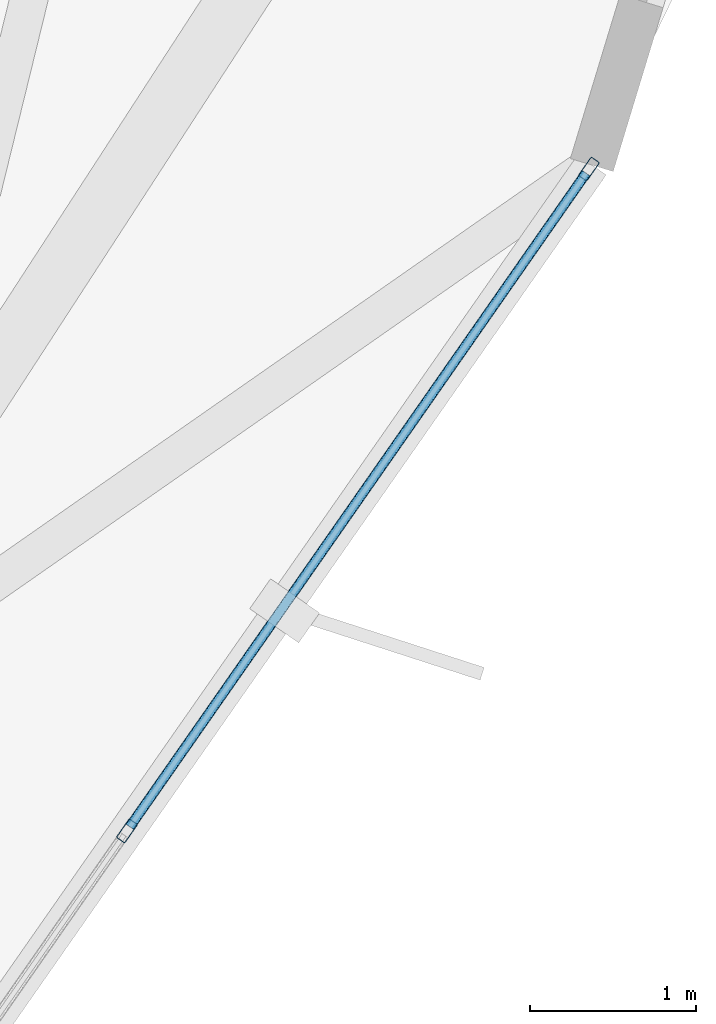
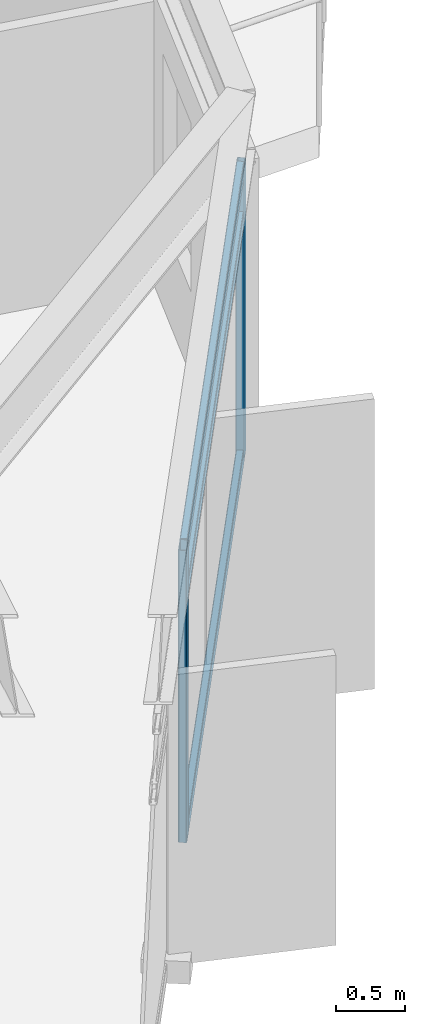
# One storey, part 16 of 34: 5 members, 1 element without a shape of its own.
"""IFC4 building model written with IfcOpenShell, lengths in metres."""

import ifcopenshell
import ifcopenshell.guid

model = None  # the IFC model being written
_history = None  # IfcOwnerHistory: only IFC2X3 demands one
_inside = {}  # id of a spatial element -> (the spatial element, [elements in it])
_under = {}  # id of a project, library or spatial element -> (it, [spatial elements below it])
_declared = {}  # id of a project -> (the project, [libraries it declares])
_typed = {}  # id of a type object -> (the type object, [elements of that type])
_made_of = {}  # id of a material, layer set ... -> (it, [elements and type objects made of it])


def new_model(schema):
    """Start an empty IFC model of exactly this schema.

    Asked for "IFC4X3", IfcOpenShell would pick the latest addendum, in which some entities
    have other attributes; the version numbers below select the first issue.
    IFC2X3 requires an IfcOwnerHistory on every rooted entity: one is made here for all.
    """
    global model, _history
    if schema == "IFC4X3":
        model = ifcopenshell.file(schema_version=(4, 3, 0, 0))
    else:
        model = ifcopenshell.file(schema=schema)
    _inside.clear()
    _under.clear()
    _declared.clear()
    _typed.clear()
    _made_of.clear()
    _history = None
    if model.schema == "IFC2X3":
        org = make("IfcOrganization", Name="unknown")
        user = make(
            "IfcPersonAndOrganization",
            ThePerson=make("IfcPerson", FamilyName="unknown"),
            TheOrganization=org,
        )
        app = make(
            "IfcApplication",
            ApplicationDeveloper=org,
            Version="unknown",
            ApplicationFullName="unknown",
            ApplicationIdentifier="unknown",
        )
        _history = make(
            "IfcOwnerHistory",
            OwningUser=user,
            OwningApplication=app,
            ChangeAction="ADDED",
            CreationDate=0,
        )
    return model


def make(cls, **values):
    """One entity of the class cls with the attributes given. An attribute that is None is left unset."""
    return model.create_entity(
        cls, **{name: value for name, value in values.items() if value is not None}
    )


def rooted(cls, **values):
    """An entity with a GlobalId (a new one), such as an element, a storey or a relation."""
    return make(cls, GlobalId=ifcopenshell.guid.new(), OwnerHistory=_history, **values)


def si_unit(unit_type, name, prefix=None):
    """IfcSIUnit, for example si_unit("LENGTHUNIT", "METRE", prefix="MILLI")."""
    return make("IfcSIUnit", UnitType=unit_type, Prefix=prefix, Name=name)


def assignment(units):
    """IfcUnitAssignment: the units of a project."""
    return None if units is None else make("IfcUnitAssignment", Units=units)


def point(xyz):
    """IfcCartesianPoint."""
    return None if xyz is None else make("IfcCartesianPoint", Coordinates=xyz)


def direction(xyz):
    """IfcDirection."""
    return None if xyz is None else make("IfcDirection", DirectionRatios=xyz)


def frame(location, z_axis=None, x_axis=None):
    """IfcAxis2Placement3D, a coordinate frame: its origin and axes. An axis left out is left unset."""
    return make(
        "IfcAxis2Placement3D",
        Location=point(location),
        Axis=direction(z_axis),
        RefDirection=direction(x_axis),
    )


def frame_2d(location, x_axis=None):
    """IfcAxis2Placement2D, a coordinate frame in the plane: its origin and x axis."""
    return make(
        "IfcAxis2Placement2D", Location=point(location), RefDirection=direction(x_axis)
    )


def origin():
    """The frame at (0, 0, 0) with its axes left unset."""
    return frame((0.0, 0.0, 0.0))


def origin_2d():
    """The frame at (0, 0) in the plane with its x axis left unset."""
    return frame_2d((0.0, 0.0))


def place(relative_to, where):
    """IfcLocalPlacement: puts the frame where relative to a parent placement (None: the world)."""
    return make(
        "IfcLocalPlacement", PlacementRelTo=relative_to, RelativePlacement=where
    )


def context(
    kind, dimensions, precision=None, world=None, true_north=None, identifier=None
):
    """IfcGeometricRepresentationContext, for example the 3D "Model" context."""
    return make(
        "IfcGeometricRepresentationContext",
        ContextIdentifier=identifier,
        ContextType=kind,
        CoordinateSpaceDimension=dimensions,
        Precision=precision,
        WorldCoordinateSystem=world,
        TrueNorth=true_north,
    )


def subcontext(parent, identifier, kind, view, scale=None):
    """IfcGeometricRepresentationSubContext, for example "Body" below "Model"."""
    return make(
        "IfcGeometricRepresentationSubContext",
        ContextIdentifier=identifier,
        ContextType=kind,
        ParentContext=parent,
        TargetScale=scale,
        TargetView=view,
    )


def project(units=None, contexts=None):
    """IfcProject with its units and contexts."""
    return rooted(
        "IfcProject",
        Name="project",
        RepresentationContexts=contexts,
        UnitsInContext=assignment(units),
    )


def spatial(cls, under=None, at=None, **own):
    """A site, building, storey or space (cls), placed at a placement, below another one or the project."""
    s = rooted(cls, ObjectPlacement=at, **own)
    if under is not None:
        _under.setdefault(under.id(), (under, []))[1].append(s)
    return s


def profile(cls, at=None, kind="AREA", **sizes):
    """A parametric profile (cls). Its sizes go by their IFC names, for example OverallWidth=200.0."""
    return make(cls, ProfileType=kind, Position=at, **sizes)


def hollow_rectangle(**sizes):
    """IfcRectangleHollowProfileDef."""
    return profile("IfcRectangleHollowProfileDef", **sizes)


def extrude(swept, where, along, depth):
    """IfcExtrudedAreaSolid: the profile swept, set in the frame where, extruded along a direction by depth."""
    return make(
        "IfcExtrudedAreaSolid",
        SweptArea=swept,
        Position=where,
        ExtrudedDirection=direction(along),
        Depth=depth,
    )


def shape(context_of_items, identifier, shape_type, items):
    """IfcShapeRepresentation: the items that make up one representation, for example the "Body"."""
    return make(
        "IfcShapeRepresentation",
        ContextOfItems=context_of_items,
        RepresentationIdentifier=identifier,
        RepresentationType=shape_type,
        Items=items,
    )


def material(Name=None, Category=None):
    """IfcMaterial."""
    return make("IfcMaterial", Name=Name, Category=Category)


def layer(
    of_material, thickness, ventilated=None, Name=None, Category=None, Priority=None
):
    """IfcMaterialLayer: one layer of a wall or slab, of a material (None: an air gap)."""
    return make(
        "IfcMaterialLayer",
        Material=of_material,
        LayerThickness=thickness,
        IsVentilated=ventilated,
        Name=Name,
        Category=Category,
        Priority=Priority,
    )


def layer_set(layers, Name=None):
    """IfcMaterialLayerSet."""
    return make("IfcMaterialLayerSet", MaterialLayers=layers, LayerSetName=Name)


def material_profile(
    of_material, cross_section, Name=None, Category=None, Priority=None
):
    """IfcMaterialProfile: a cross section and its material."""
    return make(
        "IfcMaterialProfile",
        Name=Name,
        Material=of_material,
        Profile=cross_section,
        Priority=Priority,
        Category=Category,
    )


def profile_set(profiles, Name=None, composite=None):
    """IfcMaterialProfileSet."""
    return make(
        "IfcMaterialProfileSet",
        Name=Name,
        MaterialProfiles=profiles,
        CompositeProfile=composite,
    )


def made_of(thing, what):
    """Note that an element or type object is made of a material, layer set ...; save() writes the relation."""
    if what is not None:
        _made_of.setdefault(what.id(), (what, []))[1].append(thing)
    return thing


def type_object(cls, material=None, **own):
    """A type object (cls), such as IfcWallType, which elements share."""
    return made_of(rooted(cls, **own), material)


def element(
    cls,
    number,
    at=None,
    inside=None,
    cuts=None,
    type_object=None,
    material=None,
    context=None,
    identifier="Body",
    shape_type=None,
    held_by="IfcProductDefinitionShape",
    body=None,
    shapes=None,
    **own,
):
    """One element of the class cls, such as IfcWall. Its Tag is "e" and its number.

    at: its placement. inside: the storey or other place that contains it. cuts: it is an
    opening in that element (IfcRelVoidsElement). A single representation is given by context,
    identifier, shape_type and body (its items); several are given by shapes. held_by: the class
    of the entity that holds the representations. save() writes the other relations.
    """
    e = rooted(cls, Tag="e%d" % number, ObjectPlacement=at, **own)
    if body is not None:
        shapes = [shape(context, identifier, shape_type, body)]
    if shapes is not None:
        e.Representation = make(held_by, Representations=shapes)
    if inside is not None:
        _inside.setdefault(inside.id(), (inside, []))[1].append(e)
    if cuts is not None:
        rooted(
            "IfcRelVoidsElement", RelatingBuildingElement=cuts, RelatedOpeningElement=e
        )
    if type_object is not None:
        _typed.setdefault(type_object.id(), (type_object, []))[1].append(e)
    return made_of(e, material)


def aggregate(whole, parts):
    """IfcRelAggregates: a whole, such as a stair, and the parts it consists of."""
    return rooted("IfcRelAggregates", RelatingObject=whole, RelatedObjects=parts)


def save(model, path):
    """Write the relations noted so far, then the file.

    IfcRelAggregates (storeys below a building ...), IfcRelContainedInSpatialStructure (elements
    in a storey), IfcRelDefinesByType, IfcRelAssociatesMaterial and IfcRelDeclares: one each for
    every whole, place, type object, material and project.
    """
    for whole, parts in _under.values():
        aggregate(whole, parts)
    for where, things in _inside.values():
        rooted(
            "IfcRelContainedInSpatialStructure",
            RelatedElements=things,
            RelatingStructure=where,
        )
    for kind, things in _typed.values():
        rooted("IfcRelDefinesByType", RelatedObjects=things, RelatingType=kind)
    for what, things in _made_of.values():
        rooted("IfcRelAssociatesMaterial", RelatedObjects=things, RelatingMaterial=what)
    for by, libraries in _declared.values():
        rooted("IfcRelDeclares", RelatingContext=by, RelatedDefinitions=libraries)
    model.write(path)


model = new_model("IFC4")

# Units and contexts
model_context = context("Model", 3, precision=1e-05, world=origin(), true_north=direction((0.0, 1.0)))
body_context = subcontext(model_context, "Body", "Model", "MODEL_VIEW")
ifc_project = project(units=[si_unit("LENGTHUNIT", "METRE"), si_unit("AREAUNIT", "SQUARE_METRE"), si_unit("VOLUMEUNIT", "CUBIC_METRE"), si_unit("PLANEANGLEUNIT", "RADIAN"), si_unit("MASSUNIT", "GRAM", prefix="KILO")], contexts=[model_context])

# Site, building, storey
site_placement = place(None, origin())
site = spatial("IfcSite", under=ifc_project, at=site_placement, CompositionType="ELEMENT")
building_placement = place(site_placement, origin())
building = spatial("IfcBuilding", under=site, at=building_placement, Name="Soratama Intermodal Tower", CompositionType="ELEMENT")
storey_placement = place(building_placement, frame((0.0, 0.0, 233.800048828125)))
storey = spatial("IfcBuildingStorey", under=building, at=storey_placement, Name="L59", CompositionType="ELEMENT", Elevation=233.800048828125)

# Curtain wall, members
ifc_material_1 = material(Name="Double-glazed aluminium curtain wall", Category="aluminium")
ifc_layer = layer(ifc_material_1, 0.159912109375)
ifc_layer_set = layer_set([ifc_layer], Name="Double-glazed aluminium curtain wall")
curtain_wall_type = type_object("IfcCurtainWallType", Name="CW-SYS-5", PredefinedType="NOTDEFINED", material=ifc_layer_set)
curtain_wall_placement = place(storey_placement, origin())
curtain_wall = element("IfcCurtainWall", 1, at=curtain_wall_placement, inside=storey, type_object=curtain_wall_type, Name="L59 Faceted Curtain Wall F08", PredefinedType="NOTDEFINED")
ifc_material_2 = material(Name="Anodised aluminium AA 6063-T6", Category="aluminium")
ifc_material_profile_1 = material_profile(ifc_material_2, hollow_rectangle(XDim=0.06494140625, YDim=0.139892578125, WallThickness=0.0048828125, InnerFilletRadius=0.0048828125, OuterFilletRadius=0.010009765625, at=origin_2d()), Name="CWM140X65X5")
ifc_profile_set_1 = profile_set([ifc_material_profile_1], Name="Anodised aluminium AA 6063-T6")
member_type_1 = type_object("IfcMemberType", Name="MT-CWM-5", PredefinedType="MULLION", material=ifc_profile_set_1)
member_1_placement = place(storey_placement, frame((61.29833984375, 13.62158203125, 0.0), z_axis=(0.0, 0.0, 1.0), x_axis=(-0.819951485288, 0.572433019465, 0.0)))
member_1 = element("IfcMember", 2, at=member_1_placement, type_object=member_type_1, Name="CW-5 mullion 2", PredefinedType="MULLION", context=body_context, shape_type="SweptSolid", body=[
    extrude(hollow_rectangle(XDim=0.06494140625, YDim=0.139892578125, WallThickness=0.0048828125, InnerFilletRadius=0.0048828125, OuterFilletRadius=0.010009765625, at=origin_2d()), origin(), (0.0, 0.0, 1.0), 2.598876953125),
])
member_2_placement = place(storey_placement, frame((64.085205078125, 17.614013671875, 0.0), z_axis=(0.0, 0.0, 1.0), x_axis=(-0.819951485288, 0.572433019465, 0.0)))
member_2 = element("IfcMember", 3, at=member_2_placement, type_object=member_type_1, Name="CW-5 mullion 3", PredefinedType="MULLION", context=body_context, shape_type="SweptSolid", body=[
    extrude(hollow_rectangle(XDim=0.06494140625, YDim=0.139892578125, WallThickness=0.0048828125, InnerFilletRadius=0.0048828125, OuterFilletRadius=0.010009765625, at=origin_2d()), origin(), (0.0, 0.0, 1.0), 2.598876953125),
])
ifc_material_3 = material(Name="Anodised aluminium AA 6063-T6", Category="aluminium")
ifc_material_profile_2 = material_profile(ifc_material_3, hollow_rectangle(XDim=0.06005859375, YDim=0.1298828125, WallThickness=0.0048828125, InnerFilletRadius=0.0048828125, OuterFilletRadius=0.010009765625, at=origin_2d()), Name="CWT130X60X5")
ifc_profile_set_2 = profile_set([ifc_material_profile_2], Name="Anodised aluminium AA 6063-T6")
member_type_2 = type_object("IfcMemberType", Name="TT-CWT-2", PredefinedType="USERDEFINED", material=ifc_profile_set_2)
member_3_placement = place(storey_placement, frame((61.3154296875, 13.646240234375, 0.030029296875), z_axis=(0.572415839523, 0.819963478859, 0.0), x_axis=(-0.819963478859, 0.572415839523, 0.0)))
member_3 = element("IfcMember", 4, at=member_3_placement, type_object=member_type_2, Name="CW-5 transom 2.1", ObjectType="TRANSOM", PredefinedType="USERDEFINED", context=body_context, shape_type="SweptSolid", body=[
    extrude(hollow_rectangle(XDim=0.06005859375, YDim=0.1298828125, WallThickness=0.0048828125, InnerFilletRadius=0.0048828125, OuterFilletRadius=0.010009765625, at=origin_2d()), origin(), (0.0, 0.0, 1.0), 4.808837890625),
])
member_4_placement = place(storey_placement, frame((61.3154296875, 13.646240234375, 2.14990234375), z_axis=(0.572415839523, 0.819963478859, 0.0), x_axis=(-0.819963478859, 0.572415839523, 0.0)))
member_4 = element("IfcMember", 5, at=member_4_placement, type_object=member_type_2, Name="CW-5 transom 2.2", ObjectType="TRANSOM", PredefinedType="USERDEFINED", context=body_context, shape_type="SweptSolid", body=[
    extrude(hollow_rectangle(XDim=0.06005859375, YDim=0.1298828125, WallThickness=0.0048828125, InnerFilletRadius=0.0048828125, OuterFilletRadius=0.010009765625, at=origin_2d()), origin(), (0.0, 0.0, 1.0), 4.808837890625),
])
member_5_placement = place(storey_placement, frame((61.3154296875, 13.646240234375, 2.56884765625), z_axis=(0.572415839523, 0.819963478859, 0.0), x_axis=(-0.819963478859, 0.572415839523, 0.0)))
member_5 = element("IfcMember", 6, at=member_5_placement, type_object=member_type_2, Name="CW-5 transom 2.3", ObjectType="TRANSOM", PredefinedType="USERDEFINED", context=body_context, shape_type="SweptSolid", body=[
    extrude(hollow_rectangle(XDim=0.06005859375, YDim=0.1298828125, WallThickness=0.0048828125, InnerFilletRadius=0.0048828125, OuterFilletRadius=0.010009765625, at=origin_2d()), origin(), (0.0, 0.0, 1.0), 4.808837890625),
])
aggregate(curtain_wall, [member_1, member_2, member_3, member_4, member_5])

save(model, "model.ifc")
